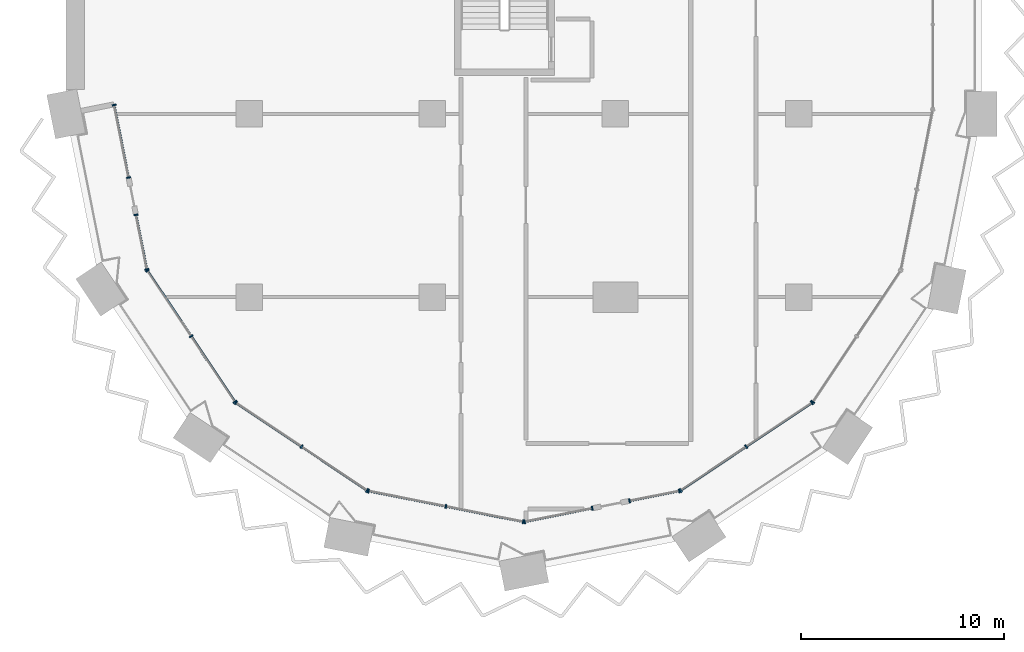
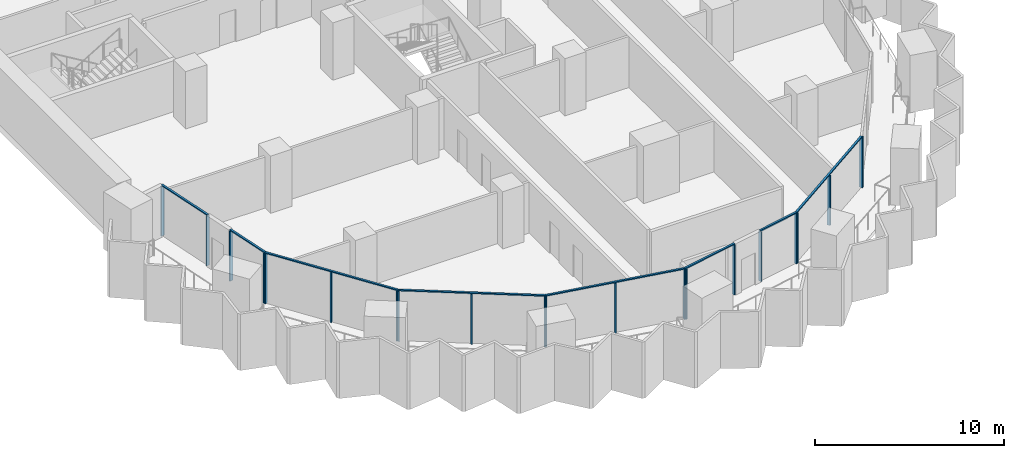
# One storey, part 2 of 22: 29 members, 9 elements without a shape of their own.
"""IFC4 building model written with IfcOpenShell, lengths in metres."""

from ifc_helpers import new_model, si_unit, direction, frame, origin, origin_2d, place, context, subcontext, project, spatial, rectangle, extrude, material, material_profile, profile_set, type_object, element, aggregate, save


model = new_model("IFC4")

# Units and contexts
model_context = context("Model", 3, precision=1e-05, world=origin(), true_north=direction((0.0, 1.0)))
body_context = subcontext(model_context, "Body", "Model", "MODEL_VIEW")
ifc_project = project(units=[si_unit("LENGTHUNIT", "METRE"), si_unit("AREAUNIT", "SQUARE_METRE"), si_unit("VOLUMEUNIT", "CUBIC_METRE"), si_unit("PLANEANGLEUNIT", "RADIAN"), si_unit("MASSUNIT", "GRAM", prefix="KILO")], contexts=[model_context])

# Site, building, storey
site_placement = place(None, origin())
site = spatial("IfcSite", under=ifc_project, at=site_placement, CompositionType="ELEMENT")
building_placement = place(site_placement, origin())
building = spatial("IfcBuilding", under=site, at=building_placement, Name="Hunhe Ridgeline Campus", CompositionType="ELEMENT")
storey_placement = place(building_placement, frame((0.0, 0.0, 84.800048828125)))
storey = spatial("IfcBuildingStorey", under=building, at=storey_placement, Name="L20", CompositionType="ELEMENT", Elevation=84.800048828125)

# Curtain wall, members
ifc_material = material(Name="Aluminium 6063", Category="aluminium")
curtain_wall_type = type_object("IfcCurtainWallType", Name="Curtain wall CW-5", PredefinedType="NOTDEFINED", material=ifc_material)
curtain_wall_1_placement = place(storey_placement, origin())
curtain_wall_1 = element("IfcCurtainWall", 1, at=curtain_wall_1_placement, inside=storey, type_object=curtain_wall_type, Name="Curtain wall 01", PredefinedType="NOTDEFINED")
ifc_material_profile_1 = material_profile(ifc_material, rectangle(XDim=0.199951171875, YDim=0.070068359375, at=origin_2d()))
ifc_profile_set_1 = profile_set([ifc_material_profile_1], Name="Aluminium 6063")
member_type_1 = type_object("IfcMemberType", Name="CW-5 aluminium mullion", PredefinedType="MULLION", material=ifc_profile_set_1)
member_1_placement = place(storey_placement, frame((2.361572265625, 27.434326171875, 0.0), z_axis=(0.0, 0.0, 1.0), x_axis=(0.980784284924, 0.195095326561, 0.0)))
member_1 = element("IfcMember", 2, at=member_1_placement, type_object=member_type_1, Name="CW-5 mullion 1", PredefinedType="MULLION", context=body_context, shape_type="SweptSolid", body=[
    extrude(rectangle(XDim=0.199951171875, YDim=0.070068359375, at=origin_2d()), origin(), (0.0, 0.0, 1.0), 3.22998046875),
])
member_2_placement = place(storey_placement, frame((3.070068359375, 23.873291015625, 0.0), z_axis=(0.0, 0.0, 1.0), x_axis=(0.980784284924, 0.195095326561, 0.0)))
member_2 = element("IfcMember", 3, at=member_2_placement, type_object=member_type_1, Name="CW-5 mullion 2", PredefinedType="MULLION", context=body_context, shape_type="SweptSolid", body=[
    extrude(rectangle(XDim=0.199951171875, YDim=0.070068359375, at=origin_2d()), origin(), (0.0, 0.0, 1.0), 3.22998046875),
])

curtain_wall_2_placement = place(storey_placement, origin())
curtain_wall_2 = element("IfcCurtainWall", 4, at=curtain_wall_2_placement, inside=storey, type_object=curtain_wall_type, Name="Curtain wall 02", PredefinedType="NOTDEFINED")
member_3_placement = place(storey_placement, frame((3.434814453125, 22.0390625, 0.0), z_axis=(0.0, 0.0, 1.0), x_axis=(0.980784297053, 0.195095265587, 0.0)))
member_3 = element("IfcMember", 5, at=member_3_placement, type_object=member_type_1, Name="CW-5 mullion 1", PredefinedType="MULLION", context=body_context, shape_type="SweptSolid", body=[
    extrude(rectangle(XDim=0.199951171875, YDim=0.070068359375, at=origin_2d()), origin(), (0.0, 0.0, 1.0), 3.22998046875),
])
member_4_placement = place(storey_placement, frame((3.967529296875, 19.36083984375, 0.0), z_axis=(0.0, 0.0, 1.0), x_axis=(0.980784297053, 0.195095265587, 0.0)))
member_4 = element("IfcMember", 6, at=member_4_placement, type_object=member_type_1, Name="CW-5 mullion 2", PredefinedType="MULLION", context=body_context, shape_type="SweptSolid", body=[
    extrude(rectangle(XDim=0.199951171875, YDim=0.070068359375, at=origin_2d()), origin(), (0.0, 0.0, 1.0), 3.22998046875),
])

curtain_wall_3_placement = place(storey_placement, origin())
curtain_wall_3 = element("IfcCurtainWall", 7, at=curtain_wall_3_placement, inside=storey, type_object=curtain_wall_type, Name="Curtain wall 03", PredefinedType="NOTDEFINED")
member_5_placement = place(storey_placement, frame((3.993896484375, 19.29736328125, 0.0), z_axis=(0.0, 0.0, 1.0), x_axis=(0.831469584522, 0.555570274596, 0.0)))
member_5 = element("IfcMember", 8, at=member_5_placement, type_object=member_type_1, Name="CW-5 mullion 1", PredefinedType="MULLION", context=body_context, shape_type="SweptSolid", body=[
    extrude(rectangle(XDim=0.199951171875, YDim=0.070068359375, at=origin_2d()), origin(), (0.0, 0.0, 1.0), 3.22998046875),
])
member_6_placement = place(storey_placement, frame((6.147705078125, 16.07373046875, 0.0), z_axis=(0.0, 0.0, 1.0), x_axis=(0.831469584522, 0.555570274596, 0.0)))
member_6 = element("IfcMember", 9, at=member_6_placement, type_object=member_type_1, Name="CW-5 mullion 2", PredefinedType="MULLION", context=body_context, shape_type="SweptSolid", body=[
    extrude(rectangle(XDim=0.199951171875, YDim=0.070068359375, at=origin_2d()), origin(), (0.0, 0.0, 1.0), 3.22998046875),
])
member_7_placement = place(storey_placement, frame((8.3017578125, 12.850341796875, 0.0), z_axis=(0.0, 0.0, 1.0), x_axis=(0.831469584522, 0.555570274596, 0.0)))
member_7 = element("IfcMember", 10, at=member_7_placement, type_object=member_type_1, Name="CW-5 mullion 3", PredefinedType="MULLION", context=body_context, shape_type="SweptSolid", body=[
    extrude(rectangle(XDim=0.199951171875, YDim=0.070068359375, at=origin_2d()), origin(), (0.0, 0.0, 1.0), 3.22998046875),
])

curtain_wall_4_placement = place(storey_placement, origin())
curtain_wall_4 = element("IfcCurtainWall", 11, at=curtain_wall_4_placement, inside=storey, type_object=curtain_wall_type, Name="Curtain wall 04", PredefinedType="NOTDEFINED")
member_8_placement = place(storey_placement, frame((8.350341796875, 12.8017578125, 0.0), z_axis=(0.0, 0.0, 1.0), x_axis=(0.555570274596, 0.831469584522, 0.0)))
member_8 = element("IfcMember", 12, at=member_8_placement, type_object=member_type_1, Name="CW-5 mullion 1", PredefinedType="MULLION", context=body_context, shape_type="SweptSolid", body=[
    extrude(rectangle(XDim=0.199951171875, YDim=0.070068359375, at=origin_2d()), origin(), (0.0, 0.0, 1.0), 3.22998046875),
])
member_9_placement = place(storey_placement, frame((11.57373046875, 10.647705078125, 0.0), z_axis=(0.0, 0.0, 1.0), x_axis=(0.555570274596, 0.831469584522, 0.0)))
member_9 = element("IfcMember", 13, at=member_9_placement, type_object=member_type_1, Name="CW-5 mullion 2", PredefinedType="MULLION", context=body_context, shape_type="SweptSolid", body=[
    extrude(rectangle(XDim=0.199951171875, YDim=0.070068359375, at=origin_2d()), origin(), (0.0, 0.0, 1.0), 3.22998046875),
])
member_10_placement = place(storey_placement, frame((14.79736328125, 8.493896484375, 0.0), z_axis=(0.0, 0.0, 1.0), x_axis=(0.555570274596, 0.831469584522, 0.0)))
member_10 = element("IfcMember", 14, at=member_10_placement, type_object=member_type_1, Name="CW-5 mullion 3", PredefinedType="MULLION", context=body_context, shape_type="SweptSolid", body=[
    extrude(rectangle(XDim=0.199951171875, YDim=0.070068359375, at=origin_2d()), origin(), (0.0, 0.0, 1.0), 3.22998046875),
])

curtain_wall_5_placement = place(storey_placement, origin())
curtain_wall_5 = element("IfcCurtainWall", 15, at=curtain_wall_5_placement, inside=storey, type_object=curtain_wall_type, Name="Curtain wall 05", PredefinedType="NOTDEFINED")
member_11_placement = place(storey_placement, frame((14.86083984375, 8.467529296875, 0.0), z_axis=(0.0, 0.0, 1.0), x_axis=(0.195090347539, 0.980785275326, 0.0)))
member_11 = element("IfcMember", 16, at=member_11_placement, type_object=member_type_1, Name="CW-5 mullion 1", PredefinedType="MULLION", context=body_context, shape_type="SweptSolid", body=[
    extrude(rectangle(XDim=0.199951171875, YDim=0.070068359375, at=origin_2d()), origin(), (0.0, 0.0, 1.0), 3.22998046875),
])
member_12_placement = place(storey_placement, frame((18.663330078125, 7.711181640625, 0.0), z_axis=(0.0, 0.0, 1.0), x_axis=(0.195090347539, 0.980785275326, 0.0)))
member_12 = element("IfcMember", 17, at=member_12_placement, type_object=member_type_1, Name="CW-5 mullion 2", PredefinedType="MULLION", context=body_context, shape_type="SweptSolid", body=[
    extrude(rectangle(XDim=0.199951171875, YDim=0.070068359375, at=origin_2d()), origin(), (0.0, 0.0, 1.0), 3.22998046875),
])
member_13_placement = place(storey_placement, frame((22.465576171875, 6.954833984375, 0.0), z_axis=(0.0, 0.0, 1.0), x_axis=(0.195090347539, 0.980785275326, 0.0)))
member_13 = element("IfcMember", 18, at=member_13_placement, type_object=member_type_1, Name="CW-5 mullion 3", PredefinedType="MULLION", context=body_context, shape_type="SweptSolid", body=[
    extrude(rectangle(XDim=0.199951171875, YDim=0.070068359375, at=origin_2d()), origin(), (0.0, 0.0, 1.0), 3.22998046875),
])

curtain_wall_6_placement = place(storey_placement, origin())
curtain_wall_6 = element("IfcCurtainWall", 19, at=curtain_wall_6_placement, inside=storey, type_object=curtain_wall_type, Name="Curtain wall 06", PredefinedType="NOTDEFINED")
member_14_placement = place(storey_placement, frame((22.534423828125, 6.954833984375, 0.0), z_axis=(0.0, 0.0, 1.0), x_axis=(-0.19509037034, 0.980785270791, 0.0)))
member_14 = element("IfcMember", 20, at=member_14_placement, type_object=member_type_1, Name="CW-5 mullion 1", PredefinedType="MULLION", context=body_context, shape_type="SweptSolid", body=[
    extrude(rectangle(XDim=0.199951171875, YDim=0.070068359375, at=origin_2d()), origin(), (0.0, 0.0, 1.0), 3.22998046875),
])
member_15_placement = place(storey_placement, frame((25.861083984375, 7.61669921875, 0.0), z_axis=(0.0, 0.0, 1.0), x_axis=(-0.19509037034, 0.980785270791, 0.0)))
member_15 = element("IfcMember", 21, at=member_15_placement, type_object=member_type_1, Name="CW-5 mullion 2", PredefinedType="MULLION", context=body_context, shape_type="SweptSolid", body=[
    extrude(rectangle(XDim=0.199951171875, YDim=0.070068359375, at=origin_2d()), origin(), (0.0, 0.0, 1.0), 3.22998046875),
])

curtain_wall_7_placement = place(storey_placement, origin())
curtain_wall_7 = element("IfcCurtainWall", 22, at=curtain_wall_7_placement, inside=storey, type_object=curtain_wall_type, Name="Curtain wall 07", PredefinedType="NOTDEFINED")
member_16_placement = place(storey_placement, frame((27.695068359375, 7.9814453125, 0.0), z_axis=(0.0, 0.0, 1.0), x_axis=(-0.195090514627, 0.980785242091, 0.0)))
member_16 = element("IfcMember", 23, at=member_16_placement, type_object=member_type_1, Name="CW-5 mullion 1", PredefinedType="MULLION", context=body_context, shape_type="SweptSolid", body=[
    extrude(rectangle(XDim=0.199951171875, YDim=0.070068359375, at=origin_2d()), origin(), (0.0, 0.0, 1.0), 3.22998046875),
])
member_17_placement = place(storey_placement, frame((30.13916015625, 8.467529296875, 0.0), z_axis=(0.0, 0.0, 1.0), x_axis=(-0.195090514627, 0.980785242091, 0.0)))
member_17 = element("IfcMember", 24, at=member_17_placement, type_object=member_type_1, Name="CW-5 mullion 2", PredefinedType="MULLION", context=body_context, shape_type="SweptSolid", body=[
    extrude(rectangle(XDim=0.199951171875, YDim=0.070068359375, at=origin_2d()), origin(), (0.0, 0.0, 1.0), 3.22998046875),
])

curtain_wall_8_placement = place(storey_placement, origin())
curtain_wall_8 = element("IfcCurtainWall", 25, at=curtain_wall_8_placement, inside=storey, type_object=curtain_wall_type, Name="Curtain wall 08", PredefinedType="NOTDEFINED")
member_18_placement = place(storey_placement, frame((30.20263671875, 8.493896484375, 0.0), z_axis=(0.0, 0.0, 1.0), x_axis=(-0.555570274596, 0.831469584522, 0.0)))
member_18 = element("IfcMember", 26, at=member_18_placement, type_object=member_type_1, Name="CW-5 mullion 1", PredefinedType="MULLION", context=body_context, shape_type="SweptSolid", body=[
    extrude(rectangle(XDim=0.199951171875, YDim=0.070068359375, at=origin_2d()), origin(), (0.0, 0.0, 1.0), 3.22998046875),
])
member_19_placement = place(storey_placement, frame((33.42626953125, 10.647705078125, 0.0), z_axis=(0.0, 0.0, 1.0), x_axis=(-0.555570274596, 0.831469584522, 0.0)))
member_19 = element("IfcMember", 27, at=member_19_placement, type_object=member_type_1, Name="CW-5 mullion 2", PredefinedType="MULLION", context=body_context, shape_type="SweptSolid", body=[
    extrude(rectangle(XDim=0.199951171875, YDim=0.070068359375, at=origin_2d()), origin(), (0.0, 0.0, 1.0), 3.22998046875),
])
member_20_placement = place(storey_placement, frame((36.649658203125, 12.8017578125, 0.0), z_axis=(0.0, 0.0, 1.0), x_axis=(-0.555570274596, 0.831469584522, 0.0)))
member_20 = element("IfcMember", 28, at=member_20_placement, type_object=member_type_1, Name="CW-5 mullion 3", PredefinedType="MULLION", context=body_context, shape_type="SweptSolid", body=[
    extrude(rectangle(XDim=0.199951171875, YDim=0.070068359375, at=origin_2d()), origin(), (0.0, 0.0, 1.0), 3.22998046875),
])

# Curtain wall, member
curtain_wall_9_placement = place(storey_placement, origin())
curtain_wall_9 = element("IfcCurtainWall", 29, at=curtain_wall_9_placement, inside=storey, type_object=curtain_wall_type, Name="Curtain wall 09", PredefinedType="NOTDEFINED")
member_21_placement = place(storey_placement, frame((36.6982421875, 12.850341796875, 0.0), z_axis=(0.0, 0.0, 1.0), x_axis=(-0.831469584522, 0.555570274596, 0.0)))
member_21 = element("IfcMember", 30, at=member_21_placement, type_object=member_type_1, Name="CW-5 mullion 1", PredefinedType="MULLION", context=body_context, shape_type="SweptSolid", body=[
    extrude(rectangle(XDim=0.199951171875, YDim=0.070068359375, at=origin_2d()), origin(), (0.0, 0.0, 1.0), 3.22998046875),
])
aggregate(curtain_wall_9, [member_21])

# Member
ifc_material_profile_2 = material_profile(ifc_material, rectangle(XDim=0.1201171875, YDim=0.070068359375, at=origin_2d()))
ifc_profile_set_2 = profile_set([ifc_material_profile_2], Name="Aluminium 6063")
member_type_2 = type_object("IfcMemberType", Name="CW-5 aluminium transom", PredefinedType="USERDEFINED", material=ifc_profile_set_2)
member_22_placement = place(storey_placement, frame((2.354736328125, 27.46875, 3.264892578125), z_axis=(0.195126549745, -0.980778073564, 0.0), x_axis=(0.980778073564, 0.195126549745, 0.0)))
member_22 = element("IfcMember", 31, at=member_22_placement, type_object=member_type_2, Name="CW-5 transom 1", ObjectType="TRANSOM", PredefinedType="USERDEFINED", context=body_context, shape_type="SweptSolid", body=[
    extrude(rectangle(XDim=0.1201171875, YDim=0.070068359375, at=origin_2d()), origin(), (0.0, 0.0, 1.0), 3.700927734375),
])

aggregate(curtain_wall_1, [member_22, member_1, member_2])

member_23_placement = place(storey_placement, frame((3.427978515625, 22.073486328125, 3.264892578125), z_axis=(0.195076742145, -0.98078798151, 0.0), x_axis=(0.98078798151, 0.195076742145, 0.0)))
member_23 = element("IfcMember", 32, at=member_23_placement, type_object=member_type_2, Name="CW-5 transom 1", ObjectType="TRANSOM", PredefinedType="USERDEFINED", context=body_context, shape_type="SweptSolid", body=[
    extrude(rectangle(XDim=0.1201171875, YDim=0.070068359375, at=origin_2d()), origin(), (0.0, 0.0, 1.0), 2.80078125),
])

aggregate(curtain_wall_2, [member_23, member_3, member_4])

member_24_placement = place(storey_placement, frame((3.974365234375, 19.326416015625, 3.264892578125), z_axis=(0.5555640203, -0.831473763475, 0.0), x_axis=(0.831473763475, 0.5555640203, 0.0)))
member_24 = element("IfcMember", 33, at=member_24_placement, type_object=member_type_2, Name="CW-5 transom 1", ObjectType="TRANSOM", PredefinedType="USERDEFINED", context=body_context, shape_type="SweptSolid", body=[
    extrude(rectangle(XDim=0.1201171875, YDim=0.070068359375, at=origin_2d()), origin(), (0.0, 0.0, 1.0), 7.823974609375),
])

aggregate(curtain_wall_3, [member_24, member_5, member_6, member_7])

member_25_placement = place(storey_placement, frame((8.321044921875, 12.821044921875, 3.264892578125), z_axis=(0.831473763475, -0.5555640203, 0.0), x_axis=(0.5555640203, 0.831473763475, 0.0)))
member_25 = element("IfcMember", 34, at=member_25_placement, type_object=member_type_2, Name="CW-5 transom 1", ObjectType="TRANSOM", PredefinedType="USERDEFINED", context=body_context, shape_type="SweptSolid", body=[
    extrude(rectangle(XDim=0.1201171875, YDim=0.070068359375, at=origin_2d()), origin(), (0.0, 0.0, 1.0), 7.823974609375),
])

aggregate(curtain_wall_4, [member_25, member_8, member_9, member_10])

member_26_placement = place(storey_placement, frame((14.826416015625, 8.474365234375, 3.264892578125), z_axis=(0.980785367689, -0.195089883198, 0.0), x_axis=(0.195089883198, 0.980785367689, 0.0)))
member_26 = element("IfcMember", 35, at=member_26_placement, type_object=member_type_2, Name="CW-5 transom 1", ObjectType="TRANSOM", PredefinedType="USERDEFINED", context=body_context, shape_type="SweptSolid", body=[
    extrude(rectangle(XDim=0.1201171875, YDim=0.070068359375, at=origin_2d()), origin(), (0.0, 0.0, 1.0), 7.823974609375),
])

aggregate(curtain_wall_5, [member_26, member_11, member_12, member_13])

member_27_placement = place(storey_placement, frame((22.5, 6.947998046875, 3.264892578125), z_axis=(0.980778171596, 0.195126057004, 0.0), x_axis=(-0.195126057004, 0.980778171596, 0.0)))
member_27 = element("IfcMember", 36, at=member_27_placement, type_object=member_type_2, Name="CW-5 transom 1", ObjectType="TRANSOM", PredefinedType="USERDEFINED", context=body_context, shape_type="SweptSolid", body=[
    extrude(rectangle(XDim=0.1201171875, YDim=0.070068359375, at=origin_2d()), origin(), (0.0, 0.0, 1.0), 3.462158203125),
])

aggregate(curtain_wall_6, [member_27, member_14, member_15])

member_28_placement = place(storey_placement, frame((27.660888671875, 7.974609375, 3.264892578125), z_axis=(0.980789038007, 0.195071430315, 0.0), x_axis=(-0.195071430315, 0.980789038007, 0.0)))
member_28 = element("IfcMember", 37, at=member_28_placement, type_object=member_type_2, Name="CW-5 transom 1", ObjectType="TRANSOM", PredefinedType="USERDEFINED", context=body_context, shape_type="SweptSolid", body=[
    extrude(rectangle(XDim=0.1201171875, YDim=0.070068359375, at=origin_2d()), origin(), (0.0, 0.0, 1.0), 2.56201171875),
])

aggregate(curtain_wall_7, [member_28, member_16, member_17])

member_29_placement = place(storey_placement, frame((30.173583984375, 8.474365234375, 3.264892578125), z_axis=(0.831473763475, 0.5555640203, 0.0), x_axis=(-0.5555640203, 0.831473763475, 0.0)))
member_29 = element("IfcMember", 38, at=member_29_placement, type_object=member_type_2, Name="CW-5 transom 1", ObjectType="TRANSOM", PredefinedType="USERDEFINED", context=body_context, shape_type="SweptSolid", body=[
    extrude(rectangle(XDim=0.1201171875, YDim=0.070068359375, at=origin_2d()), origin(), (0.0, 0.0, 1.0), 7.823974609375),
])

aggregate(curtain_wall_8, [member_29, member_18, member_19, member_20])

save(model, "model.ifc")
